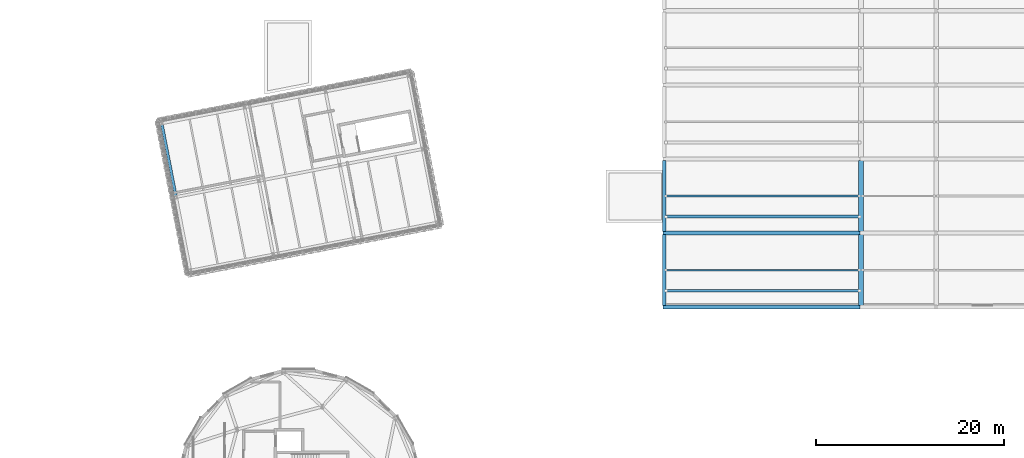
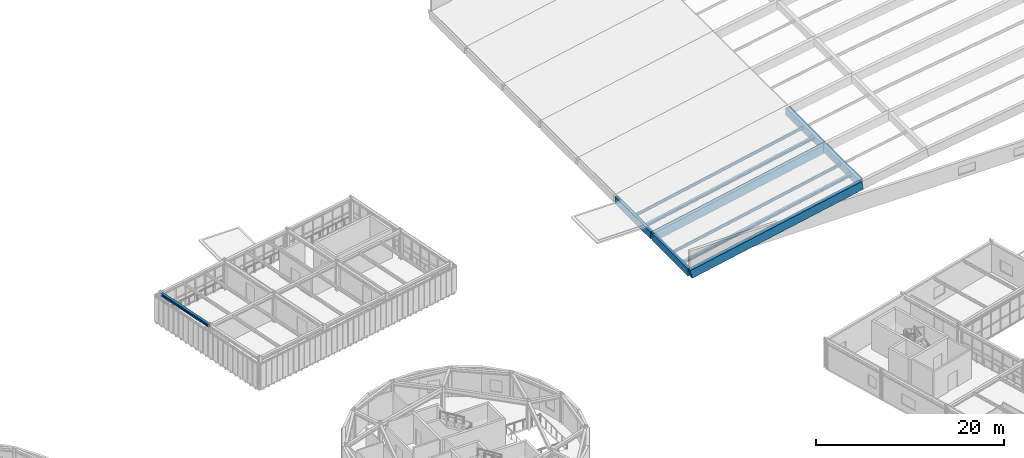
# One storey, part 15 of 44: 7 beams, 4 members.
"""IFC4 building model written with IfcOpenShell, lengths in metres."""

from ifc_helpers import new_model, si_unit, direction, frame, origin, origin_2d, place, context, subcontext, project, spatial, rectangle, i_section, extrude, material, material_profile, profile_set, type_object, element, save


model = new_model("IFC4")

# Units and contexts
model_context = context("Model", 3, precision=1e-05, world=origin(), true_north=direction((0.0, 1.0)))
body_context = subcontext(model_context, "Body", "Model", "MODEL_VIEW")
ifc_project = project(units=[si_unit("LENGTHUNIT", "METRE"), si_unit("AREAUNIT", "SQUARE_METRE"), si_unit("VOLUMEUNIT", "CUBIC_METRE"), si_unit("PLANEANGLEUNIT", "RADIAN"), si_unit("MASSUNIT", "GRAM", prefix="KILO")], contexts=[model_context])

# Site, building, storey
site_placement = place(None, origin())
site = spatial("IfcSite", under=ifc_project, at=site_placement, CompositionType="ELEMENT")
building_placement = place(site_placement, origin())
building = spatial("IfcBuilding", under=site, at=building_placement, Name="Varnklinge Art Gallery", CompositionType="ELEMENT")
storey_placement = place(building_placement, frame((0.0, 0.0, 13.679931640625)))
storey = spatial("IfcBuildingStorey", under=building, at=storey_placement, Name="L03", CompositionType="ELEMENT", Elevation=13.679931640625)

# Members
ifc_material_1 = material(Name="Steel S355", Category="steel")
ifc_material_profile_1 = material_profile(ifc_material_1, i_section(OverallWidth=0.300048828125, OverallDepth=0.360107421875, WebThickness=0.012451171875, FlangeThickness=0.0224609375, FilletRadius=0.027099609375, at=origin_2d()), Name="HEB 360")
ifc_profile_set_1 = profile_set([ifc_material_profile_1], Name="Steel S355")
member_type_1 = type_object("IfcMemberType", Name="CHD-01", PredefinedType="CHORD", material=ifc_profile_set_1)
for number, where, z_axis, x_axis, name in (
    (1, (114.580078125, 59.949951171875, -0.33984375), (0.979918048389, 0.0, 0.199400648046), (0.0, 1.0, 0.0), "L03 Shell Monitor Bracing Chord 1"),
    (2, (114.580078125, 67.85009765625, -0.33984375), (0.979918048389, 0.0, 0.199400648046), (0.0, 1.0, 0.0), "L03 Shell Monitor Bracing Chord 2"),
):
    element("IfcMember", number, at=place(storey_placement, frame(where, z_axis=z_axis, x_axis=x_axis)), inside=storey, type_object=member_type_1, Name=name, PredefinedType="CHORD", context=body_context, shape_type="SweptSolid", body=[
        extrude(i_section(OverallWidth=0.300048828125, OverallDepth=0.360107421875, WebThickness=0.012451171875, FlangeThickness=0.0224609375, FilletRadius=0.027099609375, at=origin_2d()), origin(), (0.0, 0.0, 1.0), 21.06298828125),
    ])
ifc_material_2 = material(Name="Steel S355", Category="steel")
ifc_material_profile_2 = material_profile(ifc_material_2, i_section(OverallWidth=0.169921875, OverallDepth=0.360107421875, WebThickness=0.008056640625, FlangeThickness=0.0126953125, FilletRadius=0.01806640625, at=origin_2d()), Name="IPE 360")
ifc_profile_set_2 = profile_set([ifc_material_profile_2], Name="Steel S355")
member_type_2 = type_object("IfcMemberType", Name="RFT-01", PredefinedType="RAFTER", material=ifc_profile_set_2)
for number, where, z_axis, x_axis, name in (
    (3, (114.580078125, 62.14990234375, -0.369873046875), (0.979918048389, 0.0, 0.199400648046), (0.0, 1.0, 0.0), "Shell Vault Rafter 1.1"),
    (4, (114.580078125, 70.050048828125, -0.369873046875), (0.979918048389, 0.0, 0.199400648046), (0.0, 1.0, 0.0), "Shell Vault Rafter 2.1"),
):
    element("IfcMember", number, at=place(storey_placement, frame(where, z_axis=z_axis, x_axis=x_axis)), inside=storey, type_object=member_type_2, Name=name, PredefinedType="RAFTER", context=body_context, shape_type="SweptSolid", body=[
        extrude(i_section(OverallWidth=0.169921875, OverallDepth=0.360107421875, WebThickness=0.008056640625, FlangeThickness=0.0126953125, FilletRadius=0.01806640625, at=origin_2d()), origin(), (0.0, 0.0, 1.0), 21.06298828125),
    ])

# Beams
ifc_material_3 = material(Name="Concrete C45/55", Category="concrete")
ifc_material_profile_3 = material_profile(ifc_material_3, rectangle(XDim=0.449951171875, YDim=1.10009765625, at=origin_2d()), Name="RC 450x1100")
ifc_profile_set_3 = profile_set([ifc_material_profile_3], Name="Concrete C45/55")
beam_type_1 = type_object("IfcBeamType", Name="SHB-01", PredefinedType="BEAM", material=ifc_profile_set_3)
for number, where, z_axis, x_axis, name in (
    (5, (114.39990234375, 58.199951171875, -0.7099609375), (0.980581114149, 0.0, 0.196113942833), (0.0, 1.0, 0.0), "Shell Vault Edge Beam Rib 1.1"),
    (6, (114.39990234375, 66.10009765625, -0.7099609375), (0.980581114149, 0.0, 0.196113942833), (0.0, 1.0, 0.0), "Shell Vault Edge Beam Rib 2.1"),
):
    element("IfcBeam", number, at=place(storey_placement, frame(where, z_axis=z_axis, x_axis=x_axis)), inside=storey, type_object=beam_type_1, Name=name, PredefinedType="BEAM", context=body_context, shape_type="SweptSolid", body=[
        extrude(rectangle(XDim=0.449951171875, YDim=1.10009765625, at=origin_2d()), origin(), (0.0, 0.0, 1.0), 21.415771484375),
    ])
ifc_material_4 = material(Name="Concrete C45/55", Category="concrete")
ifc_material_profile_4 = material_profile(ifc_material_4, rectangle(XDim=0.39990234375, YDim=0.89990234375, at=origin_2d()), Name="RC 400x900")
ifc_profile_set_4 = profile_set([ifc_material_profile_4], Name="Concrete C45/55")
beam_type_2 = type_object("IfcBeamType", Name="SHB-02", PredefinedType="BEAM", material=ifc_profile_set_4)
beam_1_placement = place(storey_placement, frame((114.39990234375, 58.35009765625, -0.60986328125), z_axis=(0.0, 1.0, 0.0), x_axis=(-1.0, 0.0, 0.0)))
element("IfcBeam", 7, at=beam_1_placement, inside=storey, type_object=beam_type_2, Name="Shell Vault Longitudinal Beam 1.1", PredefinedType="BEAM", context=body_context, shape_type="SweptSolid", body=[
    extrude(rectangle(XDim=0.39990234375, YDim=0.89990234375, at=origin_2d()), origin(), (0.0, 0.0, 1.0), 7.599853515625),
])
beam_2_placement = place(storey_placement, frame((114.39990234375, 66.25, -0.60986328125), z_axis=(0.0, 1.0, 0.0), x_axis=(-1.0, 0.0, 0.0)))
element("IfcBeam", 8, at=beam_2_placement, inside=storey, type_object=beam_type_2, Name="Shell Vault Longitudinal Beam 1.2", PredefinedType="BEAM", context=body_context, shape_type="SweptSolid", body=[
    extrude(rectangle(XDim=0.39990234375, YDim=0.89990234375, at=origin_2d()), origin(), (0.0, 0.0, 1.0), 7.60009765625),
])
ifc_material_5 = material(Name="Concrete C45/55", Category="concrete")
ifc_material_profile_5 = material_profile(ifc_material_5, rectangle(XDim=0.5, YDim=0.949951171875, at=origin_2d()), Name="RC 500x950")
ifc_profile_set_5 = profile_set([ifc_material_profile_5], Name="Concrete C45/55")
beam_type_3 = type_object("IfcBeamType", Name="SHB-03", PredefinedType="T_BEAM", material=ifc_profile_set_5)
beam_3_placement = place(storey_placement, frame((135.39990234375, 58.35009765625, 3.565185546875), z_axis=(0.0, 1.0, 0.0), x_axis=(-1.0, 0.0, 0.0)))
element("IfcBeam", 9, at=beam_3_placement, inside=storey, type_object=beam_type_3, Name="Shell Vault Longitudinal Beam 2.1", PredefinedType="T_BEAM", context=body_context, shape_type="SweptSolid", body=[
    extrude(rectangle(XDim=0.5, YDim=0.949951171875, at=origin_2d()), origin(), (0.0, 0.0, 1.0), 7.599853515625),
])
beam_4_placement = place(storey_placement, frame((135.39990234375, 66.25, 3.565185546875), z_axis=(0.0, 1.0, 0.0), x_axis=(-1.0, 0.0, 0.0)))
element("IfcBeam", 10, at=beam_4_placement, inside=storey, type_object=beam_type_3, Name="Shell Vault Longitudinal Beam 2.2", PredefinedType="T_BEAM", context=body_context, shape_type="SweptSolid", body=[
    extrude(rectangle(XDim=0.5, YDim=0.949951171875, at=origin_2d()), origin(), (0.0, 0.0, 1.0), 7.60009765625),
])
ifc_material_6 = material(Name="Steel S355", Category="steel")
ifc_material_profile_6 = material_profile(ifc_material_6, i_section(OverallWidth=0.300048828125, OverallDepth=0.35009765625, WebThickness=0.010009765625, FlangeThickness=0.017578125, FilletRadius=0.027099609375, at=origin_2d()), Name="HEA 360")
ifc_profile_set_6 = profile_set([ifc_material_profile_6], Name="Steel S355")
beam_type_4 = type_object("IfcBeamType", Name="SPB-04", PredefinedType="SPANDREL", material=ifc_profile_set_6)
beam_5_placement = place(storey_placement, frame((62.319580078125, 70.08056640625, 3.5849609375), z_axis=(-0.190822257393, 0.98162460548, 0.0), x_axis=(-0.98162460548, -0.190822257393, 0.0)))
element("IfcBeam", 11, at=beam_5_placement, inside=storey, type_object=beam_type_4, Name="L03 SPB-04 BM-V4B-L04-V0-1", PredefinedType="SPANDREL", context=body_context, shape_type="SweptSolid", body=[
    extrude(i_section(OverallWidth=0.300048828125, OverallDepth=0.35009765625, WebThickness=0.010009765625, FlangeThickness=0.017578125, FilletRadius=0.027099609375, at=origin_2d()), origin(), (0.0, 0.0, 1.0), 7.719970703125),
])

save(model, "model.ifc")
